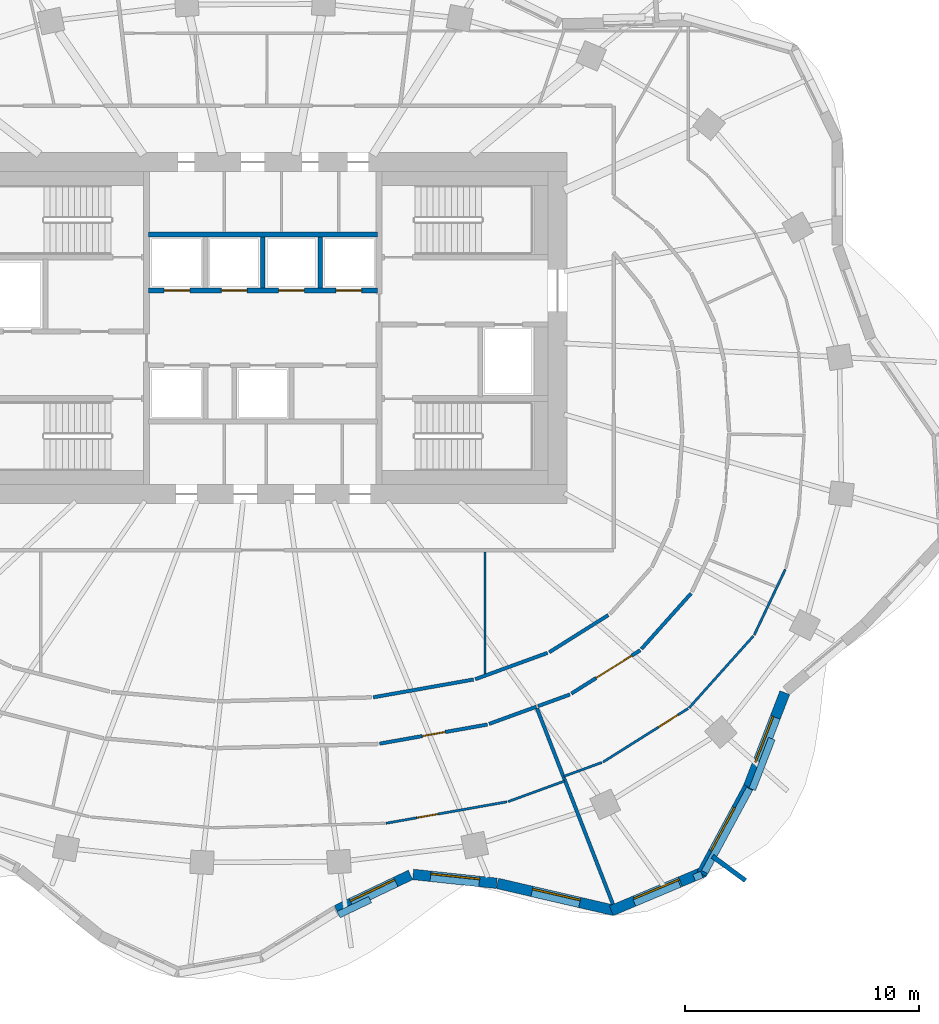
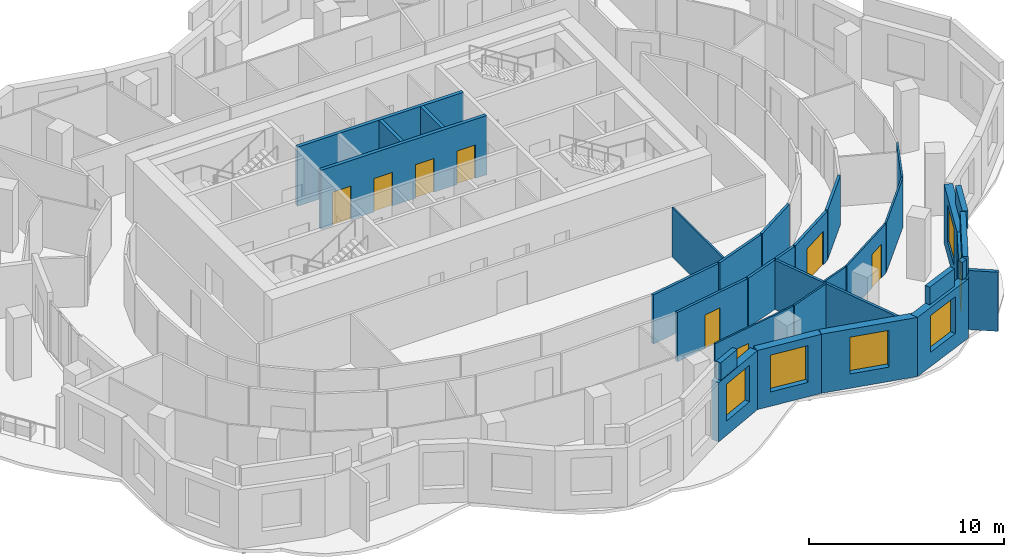
# One storey, part 7 of 13: 32 walls, 8 doors, 6 windows, 14 openings.
"""IFC4 building model written with IfcOpenShell, lengths in metres."""

import ifcopenshell
import ifcopenshell.guid

model = None  # the IFC model being written
_history = None  # IfcOwnerHistory: only IFC2X3 demands one
_inside = {}  # id of a spatial element -> (the spatial element, [elements in it])
_under = {}  # id of a project, library or spatial element -> (it, [spatial elements below it])
_declared = {}  # id of a project -> (the project, [libraries it declares])
_typed = {}  # id of a type object -> (the type object, [elements of that type])
_made_of = {}  # id of a material, layer set ... -> (it, [elements and type objects made of it])


def new_model(schema):
    """Start an empty IFC model of exactly this schema.

    Asked for "IFC4X3", IfcOpenShell would pick the latest addendum, in which some entities
    have other attributes; the version numbers below select the first issue.
    IFC2X3 requires an IfcOwnerHistory on every rooted entity: one is made here for all.
    """
    global model, _history
    if schema == "IFC4X3":
        model = ifcopenshell.file(schema_version=(4, 3, 0, 0))
    else:
        model = ifcopenshell.file(schema=schema)
    _inside.clear()
    _under.clear()
    _declared.clear()
    _typed.clear()
    _made_of.clear()
    _history = None
    if model.schema == "IFC2X3":
        org = make("IfcOrganization", Name="unknown")
        user = make(
            "IfcPersonAndOrganization",
            ThePerson=make("IfcPerson", FamilyName="unknown"),
            TheOrganization=org,
        )
        app = make(
            "IfcApplication",
            ApplicationDeveloper=org,
            Version="unknown",
            ApplicationFullName="unknown",
            ApplicationIdentifier="unknown",
        )
        _history = make(
            "IfcOwnerHistory",
            OwningUser=user,
            OwningApplication=app,
            ChangeAction="ADDED",
            CreationDate=0,
        )
    return model


def make(cls, **values):
    """One entity of the class cls with the attributes given. An attribute that is None is left unset."""
    return model.create_entity(
        cls, **{name: value for name, value in values.items() if value is not None}
    )


def rooted(cls, **values):
    """An entity with a GlobalId (a new one), such as an element, a storey or a relation."""
    return make(cls, GlobalId=ifcopenshell.guid.new(), OwnerHistory=_history, **values)


def si_unit(unit_type, name, prefix=None):
    """IfcSIUnit, for example si_unit("LENGTHUNIT", "METRE", prefix="MILLI")."""
    return make("IfcSIUnit", UnitType=unit_type, Prefix=prefix, Name=name)


def assignment(units):
    """IfcUnitAssignment: the units of a project."""
    return None if units is None else make("IfcUnitAssignment", Units=units)


def point(xyz):
    """IfcCartesianPoint."""
    return None if xyz is None else make("IfcCartesianPoint", Coordinates=xyz)


def direction(xyz):
    """IfcDirection."""
    return None if xyz is None else make("IfcDirection", DirectionRatios=xyz)


def frame(location, z_axis=None, x_axis=None):
    """IfcAxis2Placement3D, a coordinate frame: its origin and axes. An axis left out is left unset."""
    return make(
        "IfcAxis2Placement3D",
        Location=point(location),
        Axis=direction(z_axis),
        RefDirection=direction(x_axis),
    )


def frame_2d(location, x_axis=None):
    """IfcAxis2Placement2D, a coordinate frame in the plane: its origin and x axis."""
    return make(
        "IfcAxis2Placement2D", Location=point(location), RefDirection=direction(x_axis)
    )


def origin():
    """The frame at (0, 0, 0) with its axes left unset."""
    return frame((0.0, 0.0, 0.0))


def place(relative_to, where):
    """IfcLocalPlacement: puts the frame where relative to a parent placement (None: the world)."""
    return make(
        "IfcLocalPlacement", PlacementRelTo=relative_to, RelativePlacement=where
    )


def context(
    kind, dimensions, precision=None, world=None, true_north=None, identifier=None
):
    """IfcGeometricRepresentationContext, for example the 3D "Model" context."""
    return make(
        "IfcGeometricRepresentationContext",
        ContextIdentifier=identifier,
        ContextType=kind,
        CoordinateSpaceDimension=dimensions,
        Precision=precision,
        WorldCoordinateSystem=world,
        TrueNorth=true_north,
    )


def subcontext(parent, identifier, kind, view, scale=None):
    """IfcGeometricRepresentationSubContext, for example "Body" below "Model"."""
    return make(
        "IfcGeometricRepresentationSubContext",
        ContextIdentifier=identifier,
        ContextType=kind,
        ParentContext=parent,
        TargetScale=scale,
        TargetView=view,
    )


def project(units=None, contexts=None):
    """IfcProject with its units and contexts."""
    return rooted(
        "IfcProject",
        Name="project",
        RepresentationContexts=contexts,
        UnitsInContext=assignment(units),
    )


def spatial(cls, under=None, at=None, **own):
    """A site, building, storey or space (cls), placed at a placement, below another one or the project."""
    s = rooted(cls, ObjectPlacement=at, **own)
    if under is not None:
        _under.setdefault(under.id(), (under, []))[1].append(s)
    return s


def profile(cls, at=None, kind="AREA", **sizes):
    """A parametric profile (cls). Its sizes go by their IFC names, for example OverallWidth=200.0."""
    return make(cls, ProfileType=kind, Position=at, **sizes)


def rectangle(**sizes):
    """IfcRectangleProfileDef."""
    return profile("IfcRectangleProfileDef", **sizes)


def extrude(swept, where, along, depth):
    """IfcExtrudedAreaSolid: the profile swept, set in the frame where, extruded along a direction by depth."""
    return make(
        "IfcExtrudedAreaSolid",
        SweptArea=swept,
        Position=where,
        ExtrudedDirection=direction(along),
        Depth=depth,
    )


def shape(context_of_items, identifier, shape_type, items):
    """IfcShapeRepresentation: the items that make up one representation, for example the "Body"."""
    return make(
        "IfcShapeRepresentation",
        ContextOfItems=context_of_items,
        RepresentationIdentifier=identifier,
        RepresentationType=shape_type,
        Items=items,
    )


def material(Name=None, Category=None):
    """IfcMaterial."""
    return make("IfcMaterial", Name=Name, Category=Category)


def layer(
    of_material, thickness, ventilated=None, Name=None, Category=None, Priority=None
):
    """IfcMaterialLayer: one layer of a wall or slab, of a material (None: an air gap)."""
    return make(
        "IfcMaterialLayer",
        Material=of_material,
        LayerThickness=thickness,
        IsVentilated=ventilated,
        Name=Name,
        Category=Category,
        Priority=Priority,
    )


def layer_set(layers, Name=None):
    """IfcMaterialLayerSet."""
    return make("IfcMaterialLayerSet", MaterialLayers=layers, LayerSetName=Name)


def made_of(thing, what):
    """Note that an element or type object is made of a material, layer set ...; save() writes the relation."""
    if what is not None:
        _made_of.setdefault(what.id(), (what, []))[1].append(thing)
    return thing


def type_object(cls, material=None, **own):
    """A type object (cls), such as IfcWallType, which elements share."""
    return made_of(rooted(cls, **own), material)


def element(
    cls,
    number,
    at=None,
    inside=None,
    cuts=None,
    type_object=None,
    material=None,
    context=None,
    identifier="Body",
    shape_type=None,
    held_by="IfcProductDefinitionShape",
    body=None,
    shapes=None,
    **own,
):
    """One element of the class cls, such as IfcWall. Its Tag is "e" and its number.

    at: its placement. inside: the storey or other place that contains it. cuts: it is an
    opening in that element (IfcRelVoidsElement). A single representation is given by context,
    identifier, shape_type and body (its items); several are given by shapes. held_by: the class
    of the entity that holds the representations. save() writes the other relations.
    """
    e = rooted(cls, Tag="e%d" % number, ObjectPlacement=at, **own)
    if body is not None:
        shapes = [shape(context, identifier, shape_type, body)]
    if shapes is not None:
        e.Representation = make(held_by, Representations=shapes)
    if inside is not None:
        _inside.setdefault(inside.id(), (inside, []))[1].append(e)
    if cuts is not None:
        rooted(
            "IfcRelVoidsElement", RelatingBuildingElement=cuts, RelatedOpeningElement=e
        )
    if type_object is not None:
        _typed.setdefault(type_object.id(), (type_object, []))[1].append(e)
    return made_of(e, material)


def fill(opening, filler):
    """IfcRelFillsElement: the door or window that sits in an opening."""
    return rooted(
        "IfcRelFillsElement",
        RelatingOpeningElement=opening,
        RelatedBuildingElement=filler,
    )


def aggregate(whole, parts):
    """IfcRelAggregates: a whole, such as a stair, and the parts it consists of."""
    return rooted("IfcRelAggregates", RelatingObject=whole, RelatedObjects=parts)


def save(model, path):
    """Write the relations noted so far, then the file.

    IfcRelAggregates (storeys below a building ...), IfcRelContainedInSpatialStructure (elements
    in a storey), IfcRelDefinesByType, IfcRelAssociatesMaterial and IfcRelDeclares: one each for
    every whole, place, type object, material and project.
    """
    for whole, parts in _under.values():
        aggregate(whole, parts)
    for where, things in _inside.values():
        rooted(
            "IfcRelContainedInSpatialStructure",
            RelatedElements=things,
            RelatingStructure=where,
        )
    for kind, things in _typed.values():
        rooted("IfcRelDefinesByType", RelatedObjects=things, RelatingType=kind)
    for what, things in _made_of.values():
        rooted("IfcRelAssociatesMaterial", RelatedObjects=things, RelatingMaterial=what)
    for by, libraries in _declared.values():
        rooted("IfcRelDeclares", RelatingContext=by, RelatedDefinitions=libraries)
    model.write(path)


model = new_model("IFC4")

# Units and contexts
model_context = context("Model", 3, precision=1e-05, world=origin(), true_north=direction((0.0, 1.0)))
body_context = subcontext(model_context, "Body", "Model", "MODEL_VIEW")
ifc_project = project(units=[si_unit("LENGTHUNIT", "METRE"), si_unit("AREAUNIT", "SQUARE_METRE"), si_unit("VOLUMEUNIT", "CUBIC_METRE"), si_unit("PLANEANGLEUNIT", "RADIAN"), si_unit("MASSUNIT", "GRAM", prefix="KILO")], contexts=[model_context])

# Site, building, storey
site_placement = place(None, origin())
site = spatial("IfcSite", under=ifc_project, at=site_placement, CompositionType="ELEMENT")
building_placement = place(site_placement, origin())
building = spatial("IfcBuilding", under=site, at=building_placement, Name="Rubra Terraces Tower", CompositionType="ELEMENT")
storey_placement = place(building_placement, frame((0.0, 0.0, 209.10009765625)))
storey = spatial("IfcBuildingStorey", under=building, at=storey_placement, Name="L51", CompositionType="ELEMENT", Elevation=209.10009765625)

# Wall, opening, window
ifc_material_1 = material(Name="Brick masonry red-brown", Category="masonry")
ifc_layer_1 = layer(ifc_material_1, 0.449951171875)
ifc_layer_set_1 = layer_set([ifc_layer_1], Name="Brick masonry red-brown")
wall_type_1 = type_object("IfcWallType", Name="Brick facade wall 450", PredefinedType="SOLIDWALL", material=ifc_layer_set_1)
wall_1_placement = place(storey_placement, frame((3.153564453125, -20.406005859375, 0.0), z_axis=(0.0, 0.0, 1.0), x_axis=(0.902333313, 0.431038968367, 0.0)))
wall_1 = element("IfcWall", 1, at=wall_1_placement, inside=storey, type_object=wall_type_1, Name="Facade wall L51 bay 32", PredefinedType="SOLIDWALL", context=body_context, shape_type="SweptSolid", body=[
    extrude(rectangle(XDim=3.50537109375, YDim=0.449951171875, at=frame_2d((1.752685546875, 0.0))), origin(), (0.0, 0.0, 1.0), 3.699951171875),
])
opening_1_placement = place(wall_1_placement, frame((0.702880859375, 0.0, 0.89990234375)))
opening_1 = element("IfcOpeningElement", 2, at=opening_1_placement, cuts=wall_1, Name="Opening W1B", PredefinedType="OPENING", context=body_context, shape_type="SweptSolid", body=[
    extrude(rectangle(XDim=2.10009765625, YDim=2.300048828125, at=frame_2d((1.050048828125, 1.14990234375))), frame((0.0, 0.23486328125, 0.0), z_axis=(0.0, -1.0, 0.0), x_axis=(1.0, 0.0, 0.0)), (0.0, 0.0, 1.0), 0.469970703125),
])
ifc_material_2 = material(Name="Clear glass in aluminium frame", Category="aluminium")
window_type = type_object("IfcWindowType", Name="Fixed deep-set window tall storey 2100 x 2300", PartitioningType="SINGLE_PANEL", PredefinedType="WINDOW", material=ifc_material_2)
window_1_placement = place(opening_1_placement, origin())
window_1 = element("IfcWindow", 3, at=window_1_placement, inside=storey, type_object=window_type, Name="Window L51 bay 32", OverallHeight=2.300048828125, OverallWidth=2.10009765625, PartitioningType="SINGLE_PANEL", PredefinedType="WINDOW", context=body_context, shape_type="SweptSolid", body=[
    extrude(rectangle(XDim=2.10009765625, YDim=2.300048828125, at=frame_2d((1.050048828125, 1.14990234375))), frame((0.0, 0.135009765625, 0.0), z_axis=(0.0, -1.0, 0.0), x_axis=(1.0, 0.0, 0.0)), (0.0, 0.0, 1.0), 0.06005859375),
])
fill(opening_1, window_1)

wall_2_placement = place(storey_placement, frame((6.4267578125, -18.875244140625, 0.0), z_axis=(0.0, 0.0, 1.0), x_axis=(0.994433468803, -0.10536638992, 0.0)))
wall_2 = element("IfcWall", 4, at=wall_2_placement, inside=storey, type_object=wall_type_1, Name="Facade wall L51 bay 33", PredefinedType="SOLIDWALL", context=body_context, shape_type="SweptSolid", body=[
    extrude(rectangle(XDim=3.598388671875, YDim=0.449951171875, at=frame_2d((1.79931640625, 0.0))), origin(), (0.0, 0.0, 1.0), 3.699951171875),
])
opening_2_placement = place(wall_2_placement, frame((0.749267578125, 0.0, 0.89990234375)))
opening_2 = element("IfcOpeningElement", 5, at=opening_2_placement, cuts=wall_2, Name="Opening W1B", PredefinedType="OPENING", context=body_context, shape_type="SweptSolid", body=[
    extrude(rectangle(XDim=2.10009765625, YDim=2.300048828125, at=frame_2d((1.050048828125, 1.14990234375))), frame((0.0, 0.23486328125, 0.0), z_axis=(0.0, -1.0, 0.0), x_axis=(1.0, 0.0, 0.0)), (0.0, 0.0, 1.0), 0.469970703125),
])
window_2_placement = place(opening_2_placement, origin())
window_2 = element("IfcWindow", 6, at=window_2_placement, inside=storey, type_object=window_type, Name="Window L51 bay 33", OverallHeight=2.300048828125, OverallWidth=2.10009765625, PartitioningType="SINGLE_PANEL", PredefinedType="WINDOW", context=body_context, shape_type="SweptSolid", body=[
    extrude(rectangle(XDim=2.10009765625, YDim=2.300048828125, at=frame_2d((1.050048828125, 1.14990234375))), frame((0.0, 0.135009765625, 0.0), z_axis=(0.0, -1.0, 0.0), x_axis=(1.0, 0.0, 0.0)), (0.0, 0.0, 1.0), 0.06005859375),
])
fill(opening_2, window_2)

wall_3_placement = place(storey_placement, frame((10.0341796875, -19.258544921875, 0.0), z_axis=(0.0, 0.0, 1.0), x_axis=(0.974223567844, -0.225584662283, 0.0)))
wall_3 = element("IfcWall", 7, at=wall_3_placement, inside=storey, type_object=wall_type_1, Name="Facade wall L51 bay 34", PredefinedType="SOLIDWALL", context=body_context, shape_type="SweptSolid", body=[
    extrude(rectangle(XDim=5.138671875, YDim=0.449951171875, at=frame_2d((2.5693359375, 0.0))), origin(), (0.0, 0.0, 1.0), 3.699951171875),
])
opening_3_placement = place(wall_3_placement, frame((1.51904296875, 0.0, 0.89990234375)))
opening_3 = element("IfcOpeningElement", 8, at=opening_3_placement, cuts=wall_3, Name="Opening W1B", PredefinedType="OPENING", context=body_context, shape_type="SweptSolid", body=[
    extrude(rectangle(XDim=2.10009765625, YDim=2.300048828125, at=frame_2d((1.050048828125, 1.14990234375))), frame((0.0, 0.23486328125, 0.0), z_axis=(0.0, -1.0, 0.0), x_axis=(1.0, 0.0, 0.0)), (0.0, 0.0, 1.0), 0.469970703125),
])
window_3_placement = place(opening_3_placement, origin())
window_3 = element("IfcWindow", 9, at=window_3_placement, inside=storey, type_object=window_type, Name="Window L51 bay 34", OverallHeight=2.300048828125, OverallWidth=2.10009765625, PartitioningType="SINGLE_PANEL", PredefinedType="WINDOW", context=body_context, shape_type="SweptSolid", body=[
    extrude(rectangle(XDim=2.10009765625, YDim=2.300048828125, at=frame_2d((1.050048828125, 1.14990234375))), frame((0.0, 0.135009765625, 0.0), z_axis=(0.0, -1.0, 0.0), x_axis=(1.0, 0.0, 0.0)), (0.0, 0.0, 1.0), 0.06005859375),
])
fill(opening_3, window_3)

wall_4_placement = place(storey_placement, frame((14.906494140625, -20.4306640625, 0.0), z_axis=(0.0, 0.0, 1.0), x_axis=(0.921435803521, 0.388530642279, 0.0)))
wall_4 = element("IfcWall", 10, at=wall_4_placement, inside=storey, type_object=wall_type_1, Name="Facade wall L51 bay 35", PredefinedType="SOLIDWALL", context=body_context, shape_type="SweptSolid", body=[
    extrude(rectangle(XDim=4.308837890625, YDim=0.449951171875, at=frame_2d((2.154296875, 0.0))), origin(), (0.0, 0.0, 1.0), 3.699951171875),
])
opening_4_placement = place(wall_4_placement, frame((1.104248046875, 0.0, 0.89990234375)))
opening_4 = element("IfcOpeningElement", 11, at=opening_4_placement, cuts=wall_4, Name="Opening W1B", PredefinedType="OPENING", context=body_context, shape_type="SweptSolid", body=[
    extrude(rectangle(XDim=2.10009765625, YDim=2.300048828125, at=frame_2d((1.050048828125, 1.14990234375))), frame((0.0, 0.23486328125, 0.0), z_axis=(0.0, -1.0, 0.0), x_axis=(1.0, 0.0, 0.0)), (0.0, 0.0, 1.0), 0.469970703125),
])
window_4_placement = place(opening_4_placement, origin())
window_4 = element("IfcWindow", 12, at=window_4_placement, inside=storey, type_object=window_type, Name="Window L51 bay 35", OverallHeight=2.300048828125, OverallWidth=2.10009765625, PartitioningType="SINGLE_PANEL", PredefinedType="WINDOW", context=body_context, shape_type="SweptSolid", body=[
    extrude(rectangle(XDim=2.10009765625, YDim=2.300048828125, at=frame_2d((1.050048828125, 1.14990234375))), frame((0.0, 0.135009765625, 0.0), z_axis=(0.0, -1.0, 0.0), x_axis=(1.0, 0.0, 0.0)), (0.0, 0.0, 1.0), 0.06005859375),
])
fill(opening_4, window_4)

wall_5_placement = place(storey_placement, frame((18.767333984375, -18.8544921875, 0.0), z_axis=(0.0, 0.0, 1.0), x_axis=(0.474475888716, 0.880268499395, 0.0)))
wall_5 = element("IfcWall", 13, at=wall_5_placement, inside=storey, type_object=wall_type_1, Name="Facade wall L51 bay 36", PredefinedType="SOLIDWALL", context=body_context, shape_type="SweptSolid", body=[
    extrude(rectangle(XDim=4.21923828125, YDim=0.449951171875, at=frame_2d((2.109619140625, 0.0))), origin(), (0.0, 0.0, 1.0), 3.699951171875),
])
opening_5_placement = place(wall_5_placement, frame((1.059814453125, 0.0, 0.89990234375)))
opening_5 = element("IfcOpeningElement", 14, at=opening_5_placement, cuts=wall_5, Name="Opening W1B", PredefinedType="OPENING", context=body_context, shape_type="SweptSolid", body=[
    extrude(rectangle(XDim=2.10009765625, YDim=2.300048828125, at=frame_2d((1.050048828125, 1.14990234375))), frame((0.0, 0.23486328125, 0.0), z_axis=(0.0, -1.0, 0.0), x_axis=(1.0, 0.0, 0.0)), (0.0, 0.0, 1.0), 0.469970703125),
])
window_5_placement = place(opening_5_placement, origin())
window_5 = element("IfcWindow", 15, at=window_5_placement, inside=storey, type_object=window_type, Name="Window L51 bay 36", OverallHeight=2.300048828125, OverallWidth=2.10009765625, PartitioningType="SINGLE_PANEL", PredefinedType="WINDOW", context=body_context, shape_type="SweptSolid", body=[
    extrude(rectangle(XDim=2.10009765625, YDim=2.300048828125, at=frame_2d((1.050048828125, 1.14990234375))), frame((0.0, 0.135009765625, 0.0), z_axis=(0.0, -1.0, 0.0), x_axis=(1.0, 0.0, 0.0)), (0.0, 0.0, 1.0), 0.06005859375),
])
fill(opening_5, window_5)

wall_6_placement = place(storey_placement, frame((20.757080078125, -15.166015625, 0.0), z_axis=(0.0, 0.0, 1.0), x_axis=(0.360067043581, 0.932926430179, 0.0)))
wall_6 = element("IfcWall", 16, at=wall_6_placement, inside=storey, type_object=wall_type_1, Name="Facade wall L51 bay 37", PredefinedType="SOLIDWALL", context=body_context, shape_type="SweptSolid", body=[
    extrude(rectangle(XDim=4.35986328125, YDim=0.449951171875, at=frame_2d((2.179931640625, 0.0))), origin(), (0.0, 0.0, 1.0), 3.699951171875),
])
opening_6_placement = place(wall_6_placement, frame((1.1298828125, 0.0, 0.89990234375)))
opening_6 = element("IfcOpeningElement", 17, at=opening_6_placement, cuts=wall_6, Name="Opening W1B", PredefinedType="OPENING", context=body_context, shape_type="SweptSolid", body=[
    extrude(rectangle(XDim=2.10009765625, YDim=2.300048828125, at=frame_2d((1.050048828125, 1.14990234375))), frame((0.0, 0.23486328125, 0.0), z_axis=(0.0, -1.0, 0.0), x_axis=(1.0, 0.0, 0.0)), (0.0, 0.0, 1.0), 0.469970703125),
])
window_6_placement = place(opening_6_placement, origin())
window_6 = element("IfcWindow", 18, at=window_6_placement, inside=storey, type_object=window_type, Name="Window L51 bay 37", OverallHeight=2.300048828125, OverallWidth=2.10009765625, PartitioningType="SINGLE_PANEL", PredefinedType="WINDOW", context=body_context, shape_type="SweptSolid", body=[
    extrude(rectangle(XDim=2.10009765625, YDim=2.300048828125, at=frame_2d((1.050048828125, 1.14990234375))), frame((0.0, 0.135009765625, 0.0), z_axis=(0.0, -1.0, 0.0), x_axis=(1.0, 0.0, 0.0)), (0.0, 0.0, 1.0), 0.06005859375),
])
fill(opening_6, window_6)

# Walls
ifc_layer_2 = layer(ifc_material_1, 0.300048828125)
ifc_layer_set_2 = layer_set([ifc_layer_2], Name="Brick masonry red-brown")
wall_type_2 = type_object("IfcWallType", Name="Brick parapet 300", PredefinedType="PARAPET", material=ifc_layer_set_2)
wall_7_placement = place(storey_placement, frame((3.2392578125, -20.594482421875, 3.89990234375), z_axis=(0.0, 0.0, 1.0), x_axis=(0.902344893923, 0.431014724123, 0.0)))
element("IfcWall", 19, at=wall_7_placement, inside=storey, type_object=wall_type_2, Name="Parapet L51 bay 32", PredefinedType="PARAPET", context=body_context, shape_type="SweptSolid", body=[
    extrude(rectangle(XDim=1.48974609375, YDim=0.300048828125, at=frame_2d((0.744873046875, 0.0))), origin(), (0.0, 0.0, 1.0), 1.10009765625),
])
wall_8_placement = place(storey_placement, frame((15.890869140625, -20.096923828125, 3.89990234375), z_axis=(0.0, 0.0, 1.0), x_axis=(0.921468908678, 0.388452121038, 0.0)))
element("IfcWall", 20, at=wall_8_placement, inside=storey, type_object=wall_type_2, Name="Parapet L51 bay 35", PredefinedType="PARAPET", context=body_context, shape_type="SweptSolid", body=[
    extrude(rectangle(XDim=2.09912109375, YDim=0.300048828125, at=frame_2d((1.049560546875, 0.0))), origin(), (0.0, 0.0, 1.0), 1.10009765625),
])
wall_9_placement = place(storey_placement, frame((18.4462890625, -19.01953125, 3.89990234375), z_axis=(0.0, 0.0, 1.0), x_axis=(0.921356634102, 0.388718346358, 0.0)))
element("IfcWall", 21, at=wall_9_placement, inside=storey, type_object=wall_type_2, Name="Parapet L51 bay 35.2", PredefinedType="PARAPET", context=body_context, shape_type="SweptSolid", body=[
    extrude(rectangle(XDim=0.363037109375, YDim=0.300048828125, at=frame_2d((0.181640625, 0.0))), origin(), (0.0, 0.0, 1.0), 1.10009765625),
])
wall_10_placement = place(storey_placement, frame((18.896484375, -18.7734375, 3.89990234375), z_axis=(0.0, 0.0, 1.0), x_axis=(0.474444905835, 0.880285198857, 0.0)))
element("IfcWall", 22, at=wall_10_placement, inside=storey, type_object=wall_type_2, Name="Parapet L51 bay 36", PredefinedType="PARAPET", context=body_context, shape_type="SweptSolid", body=[
    extrude(rectangle(XDim=4.0498046875, YDim=0.300048828125, at=frame_2d((2.02490234375, 0.0))), origin(), (0.0, 0.0, 1.0), 1.10009765625),
])
wall_11_placement = place(storey_placement, frame((20.932861328125, -15.236572265625, 3.89990234375), z_axis=(0.0, 0.0, 1.0), x_axis=(0.360021038217, 0.932944184848, 0.0)))
element("IfcWall", 23, at=wall_11_placement, inside=storey, type_object=wall_type_2, Name="Parapet L51 bay 37", PredefinedType="PARAPET", context=body_context, shape_type="SweptSolid", body=[
    extrude(rectangle(XDim=2.3232421875, YDim=0.300048828125, at=frame_2d((1.16162109375, 0.0))), origin(), (0.0, 0.0, 1.0), 1.10009765625),
])
ifc_layer_3 = layer(ifc_material_1, 0.199951171875)
ifc_layer_set_3 = layer_set([ifc_layer_3], Name="Brick masonry red-brown")
wall_type_3 = type_object("IfcWallType", Name="Brick wind fin 200", PredefinedType="SOLIDWALL", material=ifc_layer_set_3)
wall_12_placement = place(storey_placement, frame((19.23095703125, -18.09912109375, 0.0), z_axis=(0.0, 0.0, 1.0), x_axis=(0.806085538754, -0.591799040394, 0.0)))
element("IfcWall", 24, at=wall_12_placement, inside=storey, type_object=wall_type_3, Name="Wind fin L51 22", PredefinedType="SOLIDWALL", context=body_context, shape_type="SweptSolid", body=[
    extrude(rectangle(XDim=1.75, YDim=0.199951171875, at=frame_2d((0.875, 0.0))), origin(), (0.0, 0.0, 1.0), 3.699951171875),
])

# Wall, opening, door
ifc_material_3 = material(Name="Plasterboard on steel stud, mineral wool infill", Category="steel")
ifc_layer_4 = layer(ifc_material_3, 0.14990234375)
ifc_layer_set_4 = layer_set([ifc_layer_4], Name="Plasterboard on steel stud, mineral wool infill")
wall_type_4 = type_object("IfcWallType", Name="CORRIDOR PARTITION 150", PredefinedType="PARTITIONING", material=ifc_layer_set_4)
wall_13_placement = place(storey_placement, frame((4.994873046875, -13.28125, 0.0), z_axis=(0.0, 0.0, 1.0), x_axis=(0.98463411377, 0.174630071865, 0.0)))
wall_13 = element("IfcWall", 25, at=wall_13_placement, inside=storey, type_object=wall_type_4, Name="PARTITION", PredefinedType="PARTITIONING", context=body_context, shape_type="SweptSolid", body=[
    extrude(rectangle(XDim=4.68212890625, YDim=0.14990234375, at=frame_2d((2.341064453125, 0.0))), origin(), (0.0, 0.0, 1.0), 3.083984375),
])
opening_7_placement = place(wall_13_placement, frame((1.85009765625, 0.0, 0.0)))
opening_7 = element("IfcOpeningElement", 26, at=opening_7_placement, cuts=wall_13, Name="Opening 51-124", PredefinedType="OPENING", context=body_context, shape_type="SweptSolid", body=[
    extrude(rectangle(XDim=1.0, YDim=2.10009765625, at=frame_2d((0.5, 1.050048828125))), frame((0.0, 0.0849609375, 0.0), z_axis=(0.0, -1.0, 0.0), x_axis=(1.0, 0.0, 0.0)), (0.0, 0.0, 1.0), 0.169921875),
])
ifc_material_4 = material(Name="Painted timber door leaf", Category="wood")
door_type_1 = type_object("IfcDoorType", Name="ROOM DOOR 1000 X 2100", OperationType="SINGLE_SWING_LEFT", PredefinedType="DOOR", material=ifc_material_4)
door_1_placement = place(opening_7_placement, origin())
door_1 = element("IfcDoor", 27, at=door_1_placement, inside=storey, type_object=door_type_1, Name="DOOR 51-124", OperationType="SINGLE_SWING_RIGHT", OverallHeight=2.10009765625, OverallWidth=1.0, PredefinedType="DOOR", context=body_context, shape_type="SweptSolid", body=[
    extrude(rectangle(XDim=1.0, YDim=2.10009765625, at=frame_2d((0.5, 1.050048828125))), frame((0.0, 0.02490234375, 0.0), z_axis=(0.0, -1.0, 0.0), x_axis=(1.0, 0.0, 0.0)), (0.0, 0.0, 1.0), 0.050048828125),
])
fill(opening_7, door_1)

# Walls
wall_14_placement = place(storey_placement, frame((9.675537109375, -12.43798828125, 0.0), z_axis=(0.0, 0.0, 1.0), x_axis=(0.939644231496, 0.342153062556, 0.0)))
element("IfcWall", 28, at=wall_14_placement, inside=storey, type_object=wall_type_4, Name="PARTITION", PredefinedType="PARTITIONING", context=body_context, shape_type="SweptSolid", body=[
    extrude(rectangle(XDim=2.1513671875, YDim=0.14990234375, at=frame_2d((1.07568359375, 0.0))), origin(), (0.0, 0.0, 1.0), 3.083984375),
])
wall_15_placement = place(storey_placement, frame((11.767333984375, -11.67626953125, 0.0), z_axis=(0.0, 0.0, 1.0), x_axis=(0.939641296478, 0.342161122797, 0.0)))
element("IfcWall", 29, at=wall_15_placement, inside=storey, type_object=wall_type_4, Name="PARTITION", PredefinedType="PARTITIONING", context=body_context, shape_type="SweptSolid", body=[
    extrude(rectangle(XDim=1.453369140625, YDim=0.14990234375, at=frame_2d((0.7265625, 0.0))), origin(), (0.0, 0.0, 1.0), 3.083984375),
])

# Wall, opening, door
wall_16_placement = place(storey_placement, frame((13.196533203125, -11.138916015625, 0.0), z_axis=(0.0, 0.0, 1.0), x_axis=(0.846390903833, 0.532562144644, 0.0)))
wall_16 = element("IfcWall", 30, at=wall_16_placement, inside=storey, type_object=wall_type_4, Name="PARTITION", PredefinedType="PARTITIONING", context=body_context, shape_type="SweptSolid", body=[
    extrude(rectangle(XDim=3.481201171875, YDim=0.14990234375, at=frame_2d((1.74072265625, 0.0))), origin(), (0.0, 0.0, 1.0), 3.083984375),
])
opening_8_placement = place(wall_16_placement, frame((1.25, 0.0, 0.0)))
opening_8 = element("IfcOpeningElement", 31, at=opening_8_placement, cuts=wall_16, Name="Opening 51-107", PredefinedType="OPENING", context=body_context, shape_type="SweptSolid", body=[
    extrude(rectangle(XDim=1.800048828125, YDim=2.10009765625, at=frame_2d((0.89990234375, 1.050048828125))), frame((0.0, 0.0849609375, 0.0), z_axis=(0.0, -1.0, 0.0), x_axis=(1.0, 0.0, 0.0)), (0.0, 0.0, 1.0), 0.169921875),
])
ifc_material_5 = material(Name="Painted timber door leaf, double", Category="wood")
door_type_2 = type_object("IfcDoorType", Name="ROOM DOUBLE DOOR 1800 X 2100", OperationType="DOUBLE_DOOR_SINGLE_SWING", PredefinedType="DOOR", material=ifc_material_5)
door_2_placement = place(opening_8_placement, origin())
door_2 = element("IfcDoor", 32, at=door_2_placement, inside=storey, type_object=door_type_2, Name="DOOR 51-107", OperationType="DOUBLE_DOOR_SINGLE_SWING", OverallHeight=2.10009765625, OverallWidth=1.800048828125, PredefinedType="DOOR", context=body_context, shape_type="SweptSolid", body=[
    extrude(rectangle(XDim=1.800048828125, YDim=2.10009765625, at=frame_2d((0.89990234375, 1.050048828125))), frame((0.0, 0.02490234375, 0.0), z_axis=(0.0, -1.0, 0.0), x_axis=(1.0, 0.0, 0.0)), (0.0, 0.0, 1.0), 0.050048828125),
])
fill(opening_8, door_2)

# Walls
wall_17_placement = place(storey_placement, frame((16.193115234375, -9.22900390625, 0.0), z_axis=(0.0, 0.0, 1.0), x_axis=(0.666882089048, 0.745163256815, 0.0)))
element("IfcWall", 33, at=wall_17_placement, inside=storey, type_object=wall_type_4, Name="PARTITION", PredefinedType="PARTITIONING", context=body_context, shape_type="SweptSolid", body=[
    extrude(rectangle(XDim=3.1904296875, YDim=0.14990234375, at=frame_2d((1.59521484375, 0.0))), origin(), (0.0, 0.0, 1.0), 3.083984375),
])
wall_18_placement = place(storey_placement, frame((14.776611328125, -7.781494140625, 0.0), z_axis=(0.0, 0.0, 1.0), x_axis=(-0.846359741043, -0.532611667862, 0.0)))
element("IfcWall", 34, at=wall_18_placement, inside=storey, type_object=wall_type_4, Name="PARTITION", PredefinedType="PARTITIONING", context=body_context, shape_type="SweptSolid", body=[
    extrude(rectangle(XDim=2.9873046875, YDim=0.14990234375, at=frame_2d((1.49365234375, 0.0))), origin(), (0.0, 0.0, 1.0), 3.083984375),
])
wall_19_placement = place(storey_placement, frame((12.177734375, -9.398193359375, 0.0), z_axis=(0.0, 0.0, 1.0), x_axis=(-0.939609240084, -0.342249143093, 0.0)))
element("IfcWall", 35, at=wall_19_placement, inside=storey, type_object=wall_type_4, Name="PARTITION", PredefinedType="PARTITIONING", context=body_context, shape_type="SweptSolid", body=[
    extrude(rectangle(XDim=3.2919921875, YDim=0.14990234375, at=frame_2d((1.64599609375, 0.0))), origin(), (0.0, 0.0, 1.0), 3.083984375),
])
wall_20_placement = place(storey_placement, frame((9.010498046875, -10.5380859375, 0.0), z_axis=(0.0, 0.0, 1.0), x_axis=(-0.984645638575, -0.174565077936, 0.0)))
element("IfcWall", 36, at=wall_20_placement, inside=storey, type_object=wall_type_4, Name="PARTITION", PredefinedType="PARTITIONING", context=body_context, shape_type="SweptSolid", body=[
    extrude(rectangle(XDim=4.35791015625, YDim=0.14990234375, at=frame_2d((2.178955078125, 0.0))), origin(), (0.0, 0.0, 1.0), 3.083984375),
])

# Wall, openings, doors
ifc_material_6 = material(Name="Concrete C30", Category="concrete")
ifc_layer_5 = layer(ifc_material_6, 0.199951171875)
ifc_layer_set_5 = layer_set([ifc_layer_5], Name="Concrete C30")
wall_type_5 = type_object("IfcWallType", Name="Core wall 200 concrete", PredefinedType="SOLIDWALL", material=ifc_layer_set_5)
wall_21_placement = place(storey_placement, frame((-4.89990234375, 6.10009765625, 0.0), z_axis=(0.0, 0.0, 1.0), x_axis=(1.0, 0.0, 0.0)))
wall_21 = element("IfcWall", 37, at=wall_21_placement, inside=storey, type_object=wall_type_5, Name="LIFT SHAFT WALL L51", PredefinedType="SOLIDWALL", context=body_context, shape_type="SweptSolid", body=[
    extrude(rectangle(XDim=9.7998046875, YDim=0.199951171875, at=frame_2d((4.89990234375, 0.0))), origin(), (0.0, 0.0, 1.0), 3.699951171875),
])
opening_9_placement = place(wall_21_placement, frame((0.675048828125, 0.0, 0.0)))
opening_9 = element("IfcOpeningElement", 38, at=opening_9_placement, cuts=wall_21, Name="Opening L51.C17", PredefinedType="OPENING", context=body_context, shape_type="SweptSolid", body=[
    extrude(rectangle(XDim=1.10009765625, YDim=2.10009765625, at=frame_2d((0.550048828125, 1.050048828125))), frame((0.0, 0.10986328125, 0.0), z_axis=(0.0, -1.0, 0.0), x_axis=(1.0, 0.0, 0.0)), (0.0, 0.0, 1.0), 0.219970703125),
])
opening_10_placement = place(wall_21_placement, frame((3.125, 0.0, 0.0)))
opening_10 = element("IfcOpeningElement", 39, at=opening_10_placement, cuts=wall_21, Name="Opening L51.C18", PredefinedType="OPENING", context=body_context, shape_type="SweptSolid", body=[
    extrude(rectangle(XDim=1.10009765625, YDim=2.10009765625, at=frame_2d((0.550048828125, 1.050048828125))), frame((0.0, 0.10986328125, 0.0), z_axis=(0.0, -1.0, 0.0), x_axis=(1.0, 0.0, 0.0)), (0.0, 0.0, 1.0), 0.219970703125),
])
opening_11_placement = place(wall_21_placement, frame((5.574951171875, 0.0, 0.0)))
opening_11 = element("IfcOpeningElement", 40, at=opening_11_placement, cuts=wall_21, Name="Opening L51.C19", PredefinedType="OPENING", context=body_context, shape_type="SweptSolid", body=[
    extrude(rectangle(XDim=1.10009765625, YDim=2.10009765625, at=frame_2d((0.550048828125, 1.050048828125))), frame((0.0, 0.10986328125, 0.0), z_axis=(0.0, -1.0, 0.0), x_axis=(1.0, 0.0, 0.0)), (0.0, 0.0, 1.0), 0.219970703125),
])
opening_12_placement = place(wall_21_placement, frame((8.02490234375, 0.0, 0.0)))
opening_12 = element("IfcOpeningElement", 41, at=opening_12_placement, cuts=wall_21, Name="Opening L51.C20", PredefinedType="OPENING", context=body_context, shape_type="SweptSolid", body=[
    extrude(rectangle(XDim=1.10009765625, YDim=2.10009765625, at=frame_2d((0.550048828125, 1.050048828125))), frame((0.0, 0.10986328125, 0.0), z_axis=(0.0, -1.0, 0.0), x_axis=(1.0, 0.0, 0.0)), (0.0, 0.0, 1.0), 0.219970703125),
])
ifc_material_7 = material(Name="Stainless steel", Category="steel")
door_type_3 = type_object("IfcDoorType", Name="Lift landing door 1100x2100", OperationType="NOTDEFINED", PredefinedType="DOOR", material=ifc_material_7)
door_3_placement = place(opening_9_placement, origin())
door_3 = element("IfcDoor", 42, at=door_3_placement, inside=storey, type_object=door_type_3, Name="Landing door HB3", OperationType="SLIDING_TO_RIGHT", OverallHeight=2.10009765625, OverallWidth=1.10009765625, PredefinedType="DOOR", context=body_context, shape_type="SweptSolid", body=[
    extrude(rectangle(XDim=1.10009765625, YDim=2.10009765625, at=frame_2d((0.550048828125, 1.050048828125))), frame((0.0, 0.02490234375, 0.0), z_axis=(0.0, -1.0, 0.0), x_axis=(1.0, 0.0, 0.0)), (0.0, 0.0, 1.0), 0.050048828125),
])
fill(opening_9, door_3)
door_4_placement = place(opening_10_placement, origin())
door_4 = element("IfcDoor", 43, at=door_4_placement, inside=storey, type_object=door_type_3, Name="Landing door HB4", OperationType="SLIDING_TO_LEFT", OverallHeight=2.10009765625, OverallWidth=1.10009765625, PredefinedType="DOOR", context=body_context, shape_type="SweptSolid", body=[
    extrude(rectangle(XDim=1.10009765625, YDim=2.10009765625, at=frame_2d((0.550048828125, 1.050048828125))), frame((0.0, 0.02490234375, 0.0), z_axis=(0.0, -1.0, 0.0), x_axis=(1.0, 0.0, 0.0)), (0.0, 0.0, 1.0), 0.050048828125),
])
fill(opening_10, door_4)
door_5_placement = place(opening_11_placement, origin())
door_5 = element("IfcDoor", 44, at=door_5_placement, inside=storey, type_object=door_type_3, Name="Landing door HB5", OperationType="SLIDING_TO_RIGHT", OverallHeight=2.10009765625, OverallWidth=1.10009765625, PredefinedType="DOOR", context=body_context, shape_type="SweptSolid", body=[
    extrude(rectangle(XDim=1.10009765625, YDim=2.10009765625, at=frame_2d((0.550048828125, 1.050048828125))), frame((0.0, 0.02490234375, 0.0), z_axis=(0.0, -1.0, 0.0), x_axis=(1.0, 0.0, 0.0)), (0.0, 0.0, 1.0), 0.050048828125),
])
fill(opening_11, door_5)
door_6_placement = place(opening_12_placement, origin())
door_6 = element("IfcDoor", 45, at=door_6_placement, inside=storey, type_object=door_type_3, Name="Landing door HB6", OperationType="SLIDING_TO_LEFT", OverallHeight=2.10009765625, OverallWidth=1.10009765625, PredefinedType="DOOR", context=body_context, shape_type="SweptSolid", body=[
    extrude(rectangle(XDim=1.10009765625, YDim=2.10009765625, at=frame_2d((0.550048828125, 1.050048828125))), frame((0.0, 0.02490234375, 0.0), z_axis=(0.0, -1.0, 0.0), x_axis=(1.0, 0.0, 0.0)), (0.0, 0.0, 1.0), 0.050048828125),
])
fill(opening_12, door_6)

# Walls
wall_22_placement = place(storey_placement, frame((-4.89990234375, 8.5, 0.0), z_axis=(0.0, 0.0, 1.0), x_axis=(1.0, 0.0, 0.0)))
element("IfcWall", 46, at=wall_22_placement, inside=storey, type_object=wall_type_5, Name="LIFT SHAFT WALL L51", PredefinedType="SOLIDWALL", context=body_context, shape_type="SweptSolid", body=[
    extrude(rectangle(XDim=9.7998046875, YDim=0.199951171875, at=frame_2d((4.89990234375, 0.0))), origin(), (0.0, 0.0, 1.0), 3.699951171875),
])
for number, where, z_axis, x_axis, name in (
    (47, (0.0, 6.199951171875, 0.0), (0.0, 0.0, 1.0), (0.0, 1.0, 0.0), "LIFT SHAFT WALL L51"),
    (48, (2.449951171875, 6.199951171875, 0.0), (0.0, 0.0, 1.0), (0.0, 1.0, 0.0), "LIFT SHAFT WALL L51"),
):
    element("IfcWall", number, at=place(storey_placement, frame(where, z_axis=z_axis, x_axis=x_axis)), inside=storey, type_object=wall_type_5, Name=name, PredefinedType="SOLIDWALL", context=body_context, shape_type="SweptSolid", body=[
        extrude(rectangle(XDim=2.199951171875, YDim=0.199951171875, at=frame_2d((1.10009765625, 0.0))), origin(), (0.0, 0.0, 1.0), 3.699951171875),
    ])
ifc_material_8 = material(Name="Plasterboard on steel stud", Category="steel")
ifc_layer_6 = layer(ifc_material_8, 0.10009765625)
ifc_layer_set_6 = layer_set([ifc_layer_6], Name="Plasterboard on steel stud")
wall_type_6 = type_object("IfcWallType", Name="ROOM PARTITION 100", PredefinedType="PARTITIONING", material=ifc_layer_set_6)
wall_23_placement = place(storey_placement, frame((12.908203125, -14.879150390625, 0.0), z_axis=(0.0, 0.0, 1.0), x_axis=(-0.939624337336, -0.342207692323, 0.0)))
element("IfcWall", 49, at=wall_23_placement, inside=storey, type_object=wall_type_6, Name="PARTITION", PredefinedType="PARTITIONING", context=body_context, shape_type="SweptSolid", body=[
    extrude(rectangle(XDim=2.5732421875, YDim=0.10009765625, at=frame_2d((1.28662109375, 0.0))), origin(), (0.0, 0.0, 1.0), 3.083984375),
])

# Wall, opening, door
wall_24_placement = place(storey_placement, frame((10.441162109375, -15.7685546875, 0.0), z_axis=(0.0, 0.0, 1.0), x_axis=(-0.984642067447, -0.174585219919, 0.0)))
wall_24 = element("IfcWall", 50, at=wall_24_placement, inside=storey, type_object=wall_type_6, Name="PARTITION", PredefinedType="PARTITIONING", context=body_context, shape_type="SweptSolid", body=[
    extrude(rectangle(XDim=5.258056640625, YDim=0.10009765625, at=frame_2d((2.62890625, 0.0))), origin(), (0.0, 0.0, 1.0), 3.083984375),
])
opening_13_placement = place(wall_24_placement, frame((3.009033203125, 0.0, 0.0)))
opening_13 = element("IfcOpeningElement", 51, at=opening_13_placement, cuts=wall_24, Name="Opening 51-106", PredefinedType="OPENING", context=body_context, shape_type="SweptSolid", body=[
    extrude(rectangle(XDim=0.89990234375, YDim=2.10009765625, at=frame_2d((0.449951171875, 1.050048828125))), frame((0.0, 0.06005859375, 0.0), z_axis=(0.0, -1.0, 0.0), x_axis=(1.0, 0.0, 0.0)), (0.0, 0.0, 1.0), 0.1201171875),
])
door_type_4 = type_object("IfcDoorType", Name="ROOM DOOR 900 X 2100", OperationType="SINGLE_SWING_LEFT", PredefinedType="DOOR", material=ifc_material_4)
door_7_placement = place(opening_13_placement, origin())
door_7 = element("IfcDoor", 52, at=door_7_placement, inside=storey, type_object=door_type_4, Name="DOOR 51-106", OperationType="SINGLE_SWING_RIGHT", OverallHeight=2.10009765625, OverallWidth=0.89990234375, PredefinedType="DOOR", context=body_context, shape_type="SweptSolid", body=[
    extrude(rectangle(XDim=0.89990234375, YDim=2.10009765625, at=frame_2d((0.449951171875, 1.050048828125))), frame((0.0, 0.02490234375, 0.0), z_axis=(0.0, -1.0, 0.0), x_axis=(1.0, 0.0, 0.0)), (0.0, 0.0, 1.0), 0.050048828125),
])
fill(opening_13, door_7)

# Walls
wall_25_placement = place(storey_placement, frame((22.34765625, -5.82568359375, 0.0), z_axis=(0.0, 0.0, 1.0), x_axis=(-0.428079605444, -0.90374103116, 0.0)))
element("IfcWall", 53, at=wall_25_placement, inside=storey, type_object=wall_type_6, Name="PARTITION", PredefinedType="PARTITIONING", context=body_context, shape_type="SweptSolid", body=[
    extrude(rectangle(XDim=3.114501953125, YDim=0.10009765625, at=frame_2d((1.55712890625, 0.0))), origin(), (0.0, 0.0, 1.0), 3.083984375),
])
wall_26_placement = place(storey_placement, frame((20.981201171875, -8.677490234375, 0.0), z_axis=(0.0, 0.0, 1.0), x_axis=(-0.666907205473, -0.745140778167, 0.0)))
element("IfcWall", 54, at=wall_26_placement, inside=storey, type_object=wall_type_6, Name="PARTITION", PredefinedType="PARTITIONING", context=body_context, shape_type="SweptSolid", body=[
    extrude(rectangle(XDim=4.128662109375, YDim=0.10009765625, at=frame_2d((2.064453125, 0.0))), origin(), (0.0, 0.0, 1.0), 3.083984375),
])

# Wall, opening, door
wall_27_placement = place(storey_placement, frame((18.185302734375, -11.780517578125, 0.0), z_axis=(0.0, 0.0, 1.0), x_axis=(-0.846359958684, -0.532611322013, 0.0)))
wall_27 = element("IfcWall", 55, at=wall_27_placement, inside=storey, type_object=wall_type_6, Name="PARTITION", PredefinedType="PARTITIONING", context=body_context, shape_type="SweptSolid", body=[
    extrude(rectangle(XDim=4.296875, YDim=0.10009765625, at=frame_2d((2.1484375, 0.0))), origin(), (0.0, 0.0, 1.0), 3.083984375),
])
opening_14_placement = place(wall_27_placement, frame((0.5, 0.0, 0.0)))
opening_14 = element("IfcOpeningElement", 56, at=opening_14_placement, cuts=wall_27, Name="Opening 51-108", PredefinedType="OPENING", context=body_context, shape_type="SweptSolid", body=[
    extrude(rectangle(XDim=1.0, YDim=2.10009765625, at=frame_2d((0.5, 1.050048828125))), frame((0.0, 0.06005859375, 0.0), z_axis=(0.0, -1.0, 0.0), x_axis=(1.0, 0.0, 0.0)), (0.0, 0.0, 1.0), 0.1201171875),
])
door_8_placement = place(opening_14_placement, origin())
door_8 = element("IfcDoor", 57, at=door_8_placement, inside=storey, type_object=door_type_1, Name="DOOR 51-108", OperationType="SINGLE_SWING_RIGHT", OverallHeight=2.10009765625, OverallWidth=1.0, PredefinedType="DOOR", context=body_context, shape_type="SweptSolid", body=[
    extrude(rectangle(XDim=1.0, YDim=2.10009765625, at=frame_2d((0.5, 1.050048828125))), frame((0.0, 0.02490234375, 0.0), z_axis=(0.0, -1.0, 0.0), x_axis=(1.0, 0.0, 0.0)), (0.0, 0.0, 1.0), 0.050048828125),
])
fill(opening_14, door_8)

# Walls
wall_28_placement = place(storey_placement, frame((14.501708984375, -14.086181640625, 0.0), z_axis=(0.0, 0.0, 1.0), x_axis=(-0.93966171002, -0.342105058019, 0.0)))
element("IfcWall", 58, at=wall_28_placement, inside=storey, type_object=wall_type_6, Name="PARTITION", PredefinedType="PARTITIONING", context=body_context, shape_type="SweptSolid", body=[
    extrude(rectangle(XDim=1.732666015625, YDim=0.10009765625, at=frame_2d((0.8662109375, 0.0))), origin(), (0.0, 0.0, 1.0), 3.083984375),
])
wall_29_placement = place(storey_placement, frame((9.5, -10.298583984375, 0.0), z_axis=(0.0, 0.0, 1.0), x_axis=(0.0, 1.0, 0.0)))
element("IfcWall", 59, at=wall_29_placement, inside=storey, type_object=wall_type_6, Name="PARTITION", PredefinedType="PARTITIONING", context=body_context, shape_type="SweptSolid", body=[
    extrude(rectangle(XDim=5.2236328125, YDim=0.10009765625, at=frame_2d((2.61181640625, 0.0))), origin(), (0.0, 0.0, 1.0), 3.083984375),
])
ifc_layer_7 = layer(ifc_material_8, 0.14990234375)
ifc_layer_set_7 = layer_set([ifc_layer_7], Name="Plasterboard on steel stud")
wall_type_7 = type_object("IfcWallType", Name="ROOM PARTITION 150", PredefinedType="PARTITIONING", material=ifc_layer_set_7)
wall_30_placement = place(storey_placement, frame((14.975830078125, -20.15283203125, 0.0), z_axis=(0.0, 0.0, 1.0), x_axis=(-0.361710929676, 0.932290299935, 0.0)))
element("IfcWall", 60, at=wall_30_placement, inside=storey, type_object=wall_type_7, Name="PARTITION", PredefinedType="PARTITIONING", context=body_context, shape_type="SweptSolid", body=[
    extrude(rectangle(XDim=8.98974609375, YDim=0.14990234375, at=frame_2d((4.494873046875, 0.0))), origin(), (0.0, 0.0, 1.0), 3.083984375),
])

save(model, "model.ifc")
